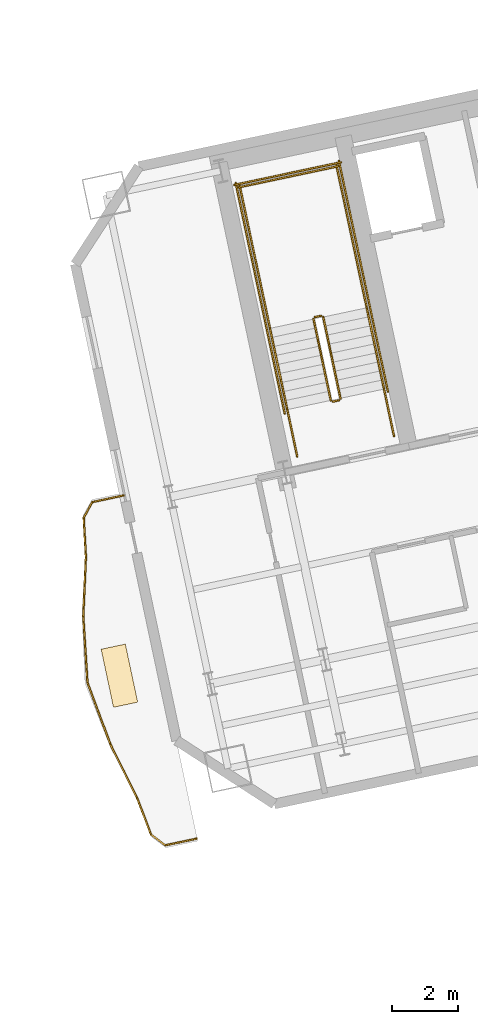
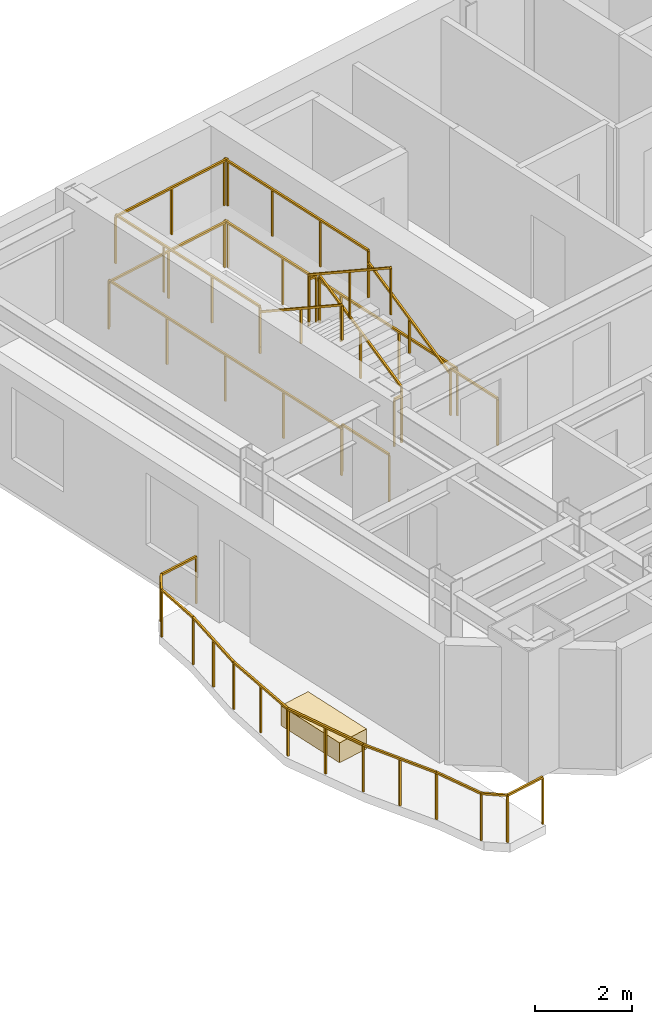
# One storey, part 12 of 13: 24 railings, 1 covering.
"""IFC4 building model written with IfcOpenShell, lengths in metres."""

import ifcopenshell
import ifcopenshell.guid

model = None  # the IFC model being written
_history = None  # IfcOwnerHistory: only IFC2X3 demands one
_inside = {}  # id of a spatial element -> (the spatial element, [elements in it])
_under = {}  # id of a project, library or spatial element -> (it, [spatial elements below it])
_declared = {}  # id of a project -> (the project, [libraries it declares])
_typed = {}  # id of a type object -> (the type object, [elements of that type])
_made_of = {}  # id of a material, layer set ... -> (it, [elements and type objects made of it])


def new_model(schema):
    """Start an empty IFC model of exactly this schema.

    Asked for "IFC4X3", IfcOpenShell would pick the latest addendum, in which some entities
    have other attributes; the version numbers below select the first issue.
    IFC2X3 requires an IfcOwnerHistory on every rooted entity: one is made here for all.
    """
    global model, _history
    if schema == "IFC4X3":
        model = ifcopenshell.file(schema_version=(4, 3, 0, 0))
    else:
        model = ifcopenshell.file(schema=schema)
    _inside.clear()
    _under.clear()
    _declared.clear()
    _typed.clear()
    _made_of.clear()
    _history = None
    if model.schema == "IFC2X3":
        org = make("IfcOrganization", Name="unknown")
        user = make(
            "IfcPersonAndOrganization",
            ThePerson=make("IfcPerson", FamilyName="unknown"),
            TheOrganization=org,
        )
        app = make(
            "IfcApplication",
            ApplicationDeveloper=org,
            Version="unknown",
            ApplicationFullName="unknown",
            ApplicationIdentifier="unknown",
        )
        _history = make(
            "IfcOwnerHistory",
            OwningUser=user,
            OwningApplication=app,
            ChangeAction="ADDED",
            CreationDate=0,
        )
    return model


def make(cls, **values):
    """One entity of the class cls with the attributes given. An attribute that is None is left unset."""
    return model.create_entity(
        cls, **{name: value for name, value in values.items() if value is not None}
    )


def rooted(cls, **values):
    """An entity with a GlobalId (a new one), such as an element, a storey or a relation."""
    return make(cls, GlobalId=ifcopenshell.guid.new(), OwnerHistory=_history, **values)


def si_unit(unit_type, name, prefix=None):
    """IfcSIUnit, for example si_unit("LENGTHUNIT", "METRE", prefix="MILLI")."""
    return make("IfcSIUnit", UnitType=unit_type, Prefix=prefix, Name=name)


def assignment(units):
    """IfcUnitAssignment: the units of a project."""
    return None if units is None else make("IfcUnitAssignment", Units=units)


def point(xyz):
    """IfcCartesianPoint."""
    return None if xyz is None else make("IfcCartesianPoint", Coordinates=xyz)


def direction(xyz):
    """IfcDirection."""
    return None if xyz is None else make("IfcDirection", DirectionRatios=xyz)


def frame(location, z_axis=None, x_axis=None):
    """IfcAxis2Placement3D, a coordinate frame: its origin and axes. An axis left out is left unset."""
    return make(
        "IfcAxis2Placement3D",
        Location=point(location),
        Axis=direction(z_axis),
        RefDirection=direction(x_axis),
    )


def frame_2d(location, x_axis=None):
    """IfcAxis2Placement2D, a coordinate frame in the plane: its origin and x axis."""
    return make(
        "IfcAxis2Placement2D", Location=point(location), RefDirection=direction(x_axis)
    )


def origin():
    """The frame at (0, 0, 0) with its axes left unset."""
    return frame((0.0, 0.0, 0.0))


def origin_2d():
    """The frame at (0, 0) in the plane with its x axis left unset."""
    return frame_2d((0.0, 0.0))


def place(relative_to, where):
    """IfcLocalPlacement: puts the frame where relative to a parent placement (None: the world)."""
    return make(
        "IfcLocalPlacement", PlacementRelTo=relative_to, RelativePlacement=where
    )


def context(
    kind, dimensions, precision=None, world=None, true_north=None, identifier=None
):
    """IfcGeometricRepresentationContext, for example the 3D "Model" context."""
    return make(
        "IfcGeometricRepresentationContext",
        ContextIdentifier=identifier,
        ContextType=kind,
        CoordinateSpaceDimension=dimensions,
        Precision=precision,
        WorldCoordinateSystem=world,
        TrueNorth=true_north,
    )


def subcontext(parent, identifier, kind, view, scale=None):
    """IfcGeometricRepresentationSubContext, for example "Body" below "Model"."""
    return make(
        "IfcGeometricRepresentationSubContext",
        ContextIdentifier=identifier,
        ContextType=kind,
        ParentContext=parent,
        TargetScale=scale,
        TargetView=view,
    )


def project(units=None, contexts=None):
    """IfcProject with its units and contexts."""
    return rooted(
        "IfcProject",
        Name="project",
        RepresentationContexts=contexts,
        UnitsInContext=assignment(units),
    )


def spatial(cls, under=None, at=None, **own):
    """A site, building, storey or space (cls), placed at a placement, below another one or the project."""
    s = rooted(cls, ObjectPlacement=at, **own)
    if under is not None:
        _under.setdefault(under.id(), (under, []))[1].append(s)
    return s


def profile(cls, at=None, kind="AREA", **sizes):
    """A parametric profile (cls). Its sizes go by their IFC names, for example OverallWidth=200.0."""
    return make(cls, ProfileType=kind, Position=at, **sizes)


def rectangle(**sizes):
    """IfcRectangleProfileDef."""
    return profile("IfcRectangleProfileDef", **sizes)


def extrude(swept, where, along, depth):
    """IfcExtrudedAreaSolid: the profile swept, set in the frame where, extruded along a direction by depth."""
    return make(
        "IfcExtrudedAreaSolid",
        SweptArea=swept,
        Position=where,
        ExtrudedDirection=direction(along),
        Depth=depth,
    )


def shape(context_of_items, identifier, shape_type, items):
    """IfcShapeRepresentation: the items that make up one representation, for example the "Body"."""
    return make(
        "IfcShapeRepresentation",
        ContextOfItems=context_of_items,
        RepresentationIdentifier=identifier,
        RepresentationType=shape_type,
        Items=items,
    )


def material(Name=None, Category=None):
    """IfcMaterial."""
    return make("IfcMaterial", Name=Name, Category=Category)


def layer(
    of_material, thickness, ventilated=None, Name=None, Category=None, Priority=None
):
    """IfcMaterialLayer: one layer of a wall or slab, of a material (None: an air gap)."""
    return make(
        "IfcMaterialLayer",
        Material=of_material,
        LayerThickness=thickness,
        IsVentilated=ventilated,
        Name=Name,
        Category=Category,
        Priority=Priority,
    )


def layer_set(layers, Name=None):
    """IfcMaterialLayerSet."""
    return make("IfcMaterialLayerSet", MaterialLayers=layers, LayerSetName=Name)


def made_of(thing, what):
    """Note that an element or type object is made of a material, layer set ...; save() writes the relation."""
    if what is not None:
        _made_of.setdefault(what.id(), (what, []))[1].append(thing)
    return thing


def type_object(cls, material=None, **own):
    """A type object (cls), such as IfcWallType, which elements share."""
    return made_of(rooted(cls, **own), material)


def element(
    cls,
    number,
    at=None,
    inside=None,
    cuts=None,
    type_object=None,
    material=None,
    context=None,
    identifier="Body",
    shape_type=None,
    held_by="IfcProductDefinitionShape",
    body=None,
    shapes=None,
    **own,
):
    """One element of the class cls, such as IfcWall. Its Tag is "e" and its number.

    at: its placement. inside: the storey or other place that contains it. cuts: it is an
    opening in that element (IfcRelVoidsElement). A single representation is given by context,
    identifier, shape_type and body (its items); several are given by shapes. held_by: the class
    of the entity that holds the representations. save() writes the other relations.
    """
    e = rooted(cls, Tag="e%d" % number, ObjectPlacement=at, **own)
    if body is not None:
        shapes = [shape(context, identifier, shape_type, body)]
    if shapes is not None:
        e.Representation = make(held_by, Representations=shapes)
    if inside is not None:
        _inside.setdefault(inside.id(), (inside, []))[1].append(e)
    if cuts is not None:
        rooted(
            "IfcRelVoidsElement", RelatingBuildingElement=cuts, RelatedOpeningElement=e
        )
    if type_object is not None:
        _typed.setdefault(type_object.id(), (type_object, []))[1].append(e)
    return made_of(e, material)


def aggregate(whole, parts):
    """IfcRelAggregates: a whole, such as a stair, and the parts it consists of."""
    return rooted("IfcRelAggregates", RelatingObject=whole, RelatedObjects=parts)


def save(model, path):
    """Write the relations noted so far, then the file.

    IfcRelAggregates (storeys below a building ...), IfcRelContainedInSpatialStructure (elements
    in a storey), IfcRelDefinesByType, IfcRelAssociatesMaterial and IfcRelDeclares: one each for
    every whole, place, type object, material and project.
    """
    for whole, parts in _under.values():
        aggregate(whole, parts)
    for where, things in _inside.values():
        rooted(
            "IfcRelContainedInSpatialStructure",
            RelatedElements=things,
            RelatingStructure=where,
        )
    for kind, things in _typed.values():
        rooted("IfcRelDefinesByType", RelatedObjects=things, RelatingType=kind)
    for what, things in _made_of.values():
        rooted("IfcRelAssociatesMaterial", RelatedObjects=things, RelatingMaterial=what)
    for by, libraries in _declared.values():
        rooted("IfcRelDeclares", RelatingContext=by, RelatedDefinitions=libraries)
    model.write(path)


model = new_model("IFC4")

# Units and contexts
model_context = context("Model", 3, precision=1e-05, world=origin(), true_north=direction((0.0, 1.0)))
body_context = subcontext(model_context, "Body", "Model", "MODEL_VIEW")
ifc_project = project(units=[si_unit("LENGTHUNIT", "METRE"), si_unit("AREAUNIT", "SQUARE_METRE"), si_unit("VOLUMEUNIT", "CUBIC_METRE"), si_unit("PLANEANGLEUNIT", "RADIAN"), si_unit("MASSUNIT", "GRAM", prefix="KILO")], contexts=[model_context])

# Site, building, storey
site_placement = place(None, origin())
site = spatial("IfcSite", under=ifc_project, at=site_placement, CompositionType="ELEMENT")
building_placement = place(site_placement, origin())
building = spatial("IfcBuilding", under=site, at=building_placement, Name="Haevon Station Towers", CompositionType="ELEMENT")
storey_placement = place(building_placement, frame((0.0, 0.0, 189.0)))
storey = spatial("IfcBuildingStorey", under=building, at=storey_placement, Name="L52", CompositionType="ELEMENT", Elevation=189.0)

# Railings
ifc_material_1 = material(Name="Steel S355", Category="steel")
railing_type_1 = type_object("IfcRailingType", Name="GRD-EXT1200", PredefinedType="GUARDRAIL", material=ifc_material_1)
railing_1_placement = place(storey_placement, frame((93.866455078125, 36.74853515625, 0.0)))
element("IfcRailing", 1, at=railing_1_placement, inside=storey, type_object=railing_type_1, Name="L52 Perimeter Guardrail 1", PredefinedType="GUARDRAIL", context=body_context, shape_type="SweptSolid", body=[
    extrude(rectangle(XDim=0.048095703125, YDim=0.048095703125, at=origin_2d()), frame((0.0, 0.0, 1.17578125), z_axis=(-0.97771801885, -0.209922546707, 0.0), x_axis=(0.209922546707, -0.97771801885, 0.0)), (0.0, 0.0, 1.0), 0.974609375),
    extrude(rectangle(XDim=0.0419921875, YDim=0.0419921875, at=origin_2d()), origin(), (0.0, 0.0, 1.0), 1.15185546875),
    extrude(rectangle(XDim=0.0419921875, YDim=0.0419921875, at=origin_2d()), frame((-0.952880859375, -0.20458984375, 0.0)), (0.0, 0.0, 1.0), 1.15185546875),
])
railing_2_placement = place(storey_placement, frame((92.91357421875, 36.5439453125, 0.0)))
element("IfcRailing", 2, at=railing_2_placement, inside=storey, type_object=railing_type_1, Name="L52 Perimeter Guardrail 2", PredefinedType="GUARDRAIL", context=body_context, shape_type="SweptSolid", body=[
    extrude(rectangle(XDim=0.048095703125, YDim=0.048095703125, at=origin_2d()), frame((0.0, 0.0, 1.17578125), z_axis=(-0.480553613798, -0.876965349524, 0.0), x_axis=(0.876965349524, -0.480553613798, 0.0)), (0.0, 0.0, 1.0), 0.54248046875),
    extrude(rectangle(XDim=0.0419921875, YDim=0.0419921875, at=origin_2d()), origin(), (0.0, 0.0, 1.0), 1.15185546875),
    extrude(rectangle(XDim=0.0419921875, YDim=0.0419921875, at=origin_2d()), frame((-0.2607421875, -0.475830078125, 0.0)), (0.0, 0.0, 1.0), 1.15185546875),
])
railing_3_placement = place(storey_placement, frame((92.65283203125, 36.068115234375, 0.0)))
element("IfcRailing", 3, at=railing_3_placement, inside=storey, type_object=railing_type_1, Name="L52 Perimeter Guardrail 3", PredefinedType="GUARDRAIL", context=body_context, shape_type="SweptSolid", body=[
    extrude(rectangle(XDim=0.048095703125, YDim=0.048095703125, at=origin_2d()), frame((0.0, 0.0, 1.17578125), z_axis=(0.056486171086, -0.998403381643, 0.0), x_axis=(0.998403381643, 0.056486171086, 0.0)), (0.0, 0.0, 1.0), 1.184326171875),
    extrude(rectangle(XDim=0.0419921875, YDim=0.0419921875, at=origin_2d()), origin(), (0.0, 0.0, 1.0), 1.15185546875),
    extrude(rectangle(XDim=0.0419921875, YDim=0.0419921875, at=origin_2d()), frame((0.06689453125, -1.182373046875, 0.0)), (0.0, 0.0, 1.0), 1.15185546875),
])
railing_4_placement = place(storey_placement, frame((92.7197265625, 34.8857421875, 0.0)))
element("IfcRailing", 4, at=railing_4_placement, inside=storey, type_object=railing_type_1, Name="L52 Perimeter Guardrail 4", PredefinedType="GUARDRAIL", context=body_context, shape_type="SweptSolid", body=[
    extrude(rectangle(XDim=0.048095703125, YDim=0.048095703125, at=origin_2d()), frame((0.0, 0.0, 1.17578125), z_axis=(-0.04449359433, -0.999009669655, 0.0), x_axis=(0.999009669655, -0.04449359433, 0.0)), (0.0, 0.0, 1.0), 1.80517578125),
    extrude(rectangle(XDim=0.0419921875, YDim=0.0419921875, at=origin_2d()), origin(), (0.0, 0.0, 1.0), 1.15185546875),
    extrude(rectangle(XDim=0.0419921875, YDim=0.0419921875, at=origin_2d()), frame((-0.0400390625, -0.90185546875, 0.0)), (0.0, 0.0, 1.0), 1.15185546875),
    extrude(rectangle(XDim=0.0419921875, YDim=0.0419921875, at=origin_2d()), frame((-0.080322265625, -1.803466796875, 0.0)), (0.0, 0.0, 1.0), 1.15185546875),
])
railing_5_placement = place(storey_placement, frame((92.639404296875, 33.082275390625, 0.0)))
element("IfcRailing", 5, at=railing_5_placement, inside=storey, type_object=railing_type_1, Name="L52 Perimeter Guardrail 5", PredefinedType="GUARDRAIL", context=body_context, shape_type="SweptSolid", body=[
    extrude(rectangle(XDim=0.048095703125, YDim=0.048095703125, at=origin_2d()), frame((0.0, 0.0, 1.17578125), z_axis=(0.063322282015, -0.997993130538, 0.0), x_axis=(0.997993130538, 0.063322282015, 0.0)), (0.0, 0.0, 1.0), 2.0126953125),
    extrude(rectangle(XDim=0.0419921875, YDim=0.0419921875, at=origin_2d()), origin(), (0.0, 0.0, 1.0), 1.15185546875),
    extrude(rectangle(XDim=0.0419921875, YDim=0.0419921875, at=origin_2d()), frame((0.063720703125, -1.00439453125, 0.0)), (0.0, 0.0, 1.0), 1.15185546875),
    extrude(rectangle(XDim=0.0419921875, YDim=0.0419921875, at=origin_2d()), frame((0.12744140625, -2.008544921875, 0.0)), (0.0, 0.0, 1.0), 1.15185546875),
])
railing_6_placement = place(storey_placement, frame((92.766845703125, 31.07373046875, 0.0)))
element("IfcRailing", 6, at=railing_6_placement, inside=storey, type_object=railing_type_1, Name="L52 Perimeter Guardrail 6", PredefinedType="GUARDRAIL", context=body_context, shape_type="SweptSolid", body=[
    extrude(rectangle(XDim=0.048095703125, YDim=0.048095703125, at=origin_2d()), frame((0.0, 0.0, 1.17578125), z_axis=(0.34818348359, -0.937426403381, 0.0), x_axis=(0.937426403381, 0.34818348359, 0.0)), (0.0, 0.0, 1.0), 2.012451171875),
    extrude(rectangle(XDim=0.0419921875, YDim=0.0419921875, at=origin_2d()), origin(), (0.0, 0.0, 1.0), 1.15185546875),
    extrude(rectangle(XDim=0.0419921875, YDim=0.0419921875, at=origin_2d()), frame((0.350341796875, -0.943359375, 0.0)), (0.0, 0.0, 1.0), 1.15185546875),
    extrude(rectangle(XDim=0.0419921875, YDim=0.0419921875, at=origin_2d()), frame((0.70068359375, -1.886474609375, 0.0)), (0.0, 0.0, 1.0), 1.15185546875),
])
railing_7_placement = place(storey_placement, frame((93.467529296875, 29.187255859375, 0.0)))
element("IfcRailing", 7, at=railing_7_placement, inside=storey, type_object=railing_type_1, Name="L52 Perimeter Guardrail 7", PredefinedType="GUARDRAIL", context=body_context, shape_type="SweptSolid", body=[
    extrude(rectangle(XDim=0.048095703125, YDim=0.048095703125, at=origin_2d()), frame((0.0, 0.0, 1.17578125), z_axis=(0.446780825657, -0.89464344508, 0.0), x_axis=(0.89464344508, 0.446780825657, 0.0)), (0.0, 0.0, 1.0), 1.805419921875),
    extrude(rectangle(XDim=0.0419921875, YDim=0.0419921875, at=origin_2d()), origin(), (0.0, 0.0, 1.0), 1.15185546875),
    extrude(rectangle(XDim=0.0419921875, YDim=0.0419921875, at=origin_2d()), frame((0.4033203125, -0.8076171875, 0.0)), (0.0, 0.0, 1.0), 1.15185546875),
    extrude(rectangle(XDim=0.0419921875, YDim=0.0419921875, at=origin_2d()), frame((0.806640625, -1.615234375, 0.0)), (0.0, 0.0, 1.0), 1.15185546875),
])
railing_8_placement = place(storey_placement, frame((94.274169921875, 27.572021484375, 0.0)))
element("IfcRailing", 8, at=railing_8_placement, inside=storey, type_object=railing_type_1, Name="L52 Perimeter Guardrail 8", PredefinedType="GUARDRAIL", context=body_context, shape_type="SweptSolid", body=[
    extrude(rectangle(XDim=0.048095703125, YDim=0.048095703125, at=origin_2d()), frame((0.0, 0.0, 1.17578125), z_axis=(0.354623157462, -0.935009313425, 0.0), x_axis=(0.935009313425, 0.354623157462, 0.0)), (0.0, 0.0, 1.0), 1.18408203125),
    extrude(rectangle(XDim=0.0419921875, YDim=0.0419921875, at=origin_2d()), origin(), (0.0, 0.0, 1.0), 1.15185546875),
    extrude(rectangle(XDim=0.0419921875, YDim=0.0419921875, at=origin_2d()), frame((0.419921875, -1.107177734375, 0.0)), (0.0, 0.0, 1.0), 1.15185546875),
])
railing_9_placement = place(storey_placement, frame((94.694091796875, 26.46484375, 0.0)))
element("IfcRailing", 9, at=railing_9_placement, inside=storey, type_object=railing_type_1, Name="L52 Perimeter Guardrail 9", PredefinedType="GUARDRAIL", context=body_context, shape_type="SweptSolid", body=[
    extrude(rectangle(XDim=0.048095703125, YDim=0.048095703125, at=origin_2d()), frame((0.0, 0.0, 1.17578125), z_axis=(0.795823981278, -0.605528026456, 0.0), x_axis=(0.605528026456, 0.795823981278, 0.0)), (0.0, 0.0, 1.0), 0.542724609375),
    extrude(rectangle(XDim=0.0419921875, YDim=0.0419921875, at=origin_2d()), origin(), (0.0, 0.0, 1.0), 1.15185546875),
    extrude(rectangle(XDim=0.0419921875, YDim=0.0419921875, at=origin_2d()), frame((0.431884765625, -0.32861328125, 0.0)), (0.0, 0.0, 1.0), 1.15185546875),
])
railing_10_placement = place(storey_placement, frame((95.1259765625, 26.13623046875, 0.0)))
element("IfcRailing", 10, at=railing_10_placement, inside=storey, type_object=railing_type_1, Name="L52 Perimeter Guardrail 10", PredefinedType="GUARDRAIL", context=body_context, shape_type="SweptSolid", body=[
    extrude(rectangle(XDim=0.048095703125, YDim=0.048095703125, at=origin_2d()), frame((0.0, 0.0, 1.17578125), z_axis=(0.978555102227, 0.205985222543, 0.0), x_axis=(-0.205985222543, 0.978555102227, 0.0)), (0.0, 0.0, 1.0), 0.974365234375),
    extrude(rectangle(XDim=0.0419921875, YDim=0.0419921875, at=origin_2d()), origin(), (0.0, 0.0, 1.0), 1.15185546875),
    extrude(rectangle(XDim=0.0419921875, YDim=0.0419921875, at=origin_2d()), frame((0.953369140625, 0.20068359375, 0.0)), (0.0, 0.0, 1.0), 1.15185546875),
])
railing_type_2 = type_object("IfcRailingType", Name="GRD-STR1200", PredefinedType="GUARDRAIL", material=ifc_material_1)
railing_11_placement = place(storey_placement, frame((100.44140625, 39.69287109375, 0.1650390625)))
element("IfcRailing", 11, at=railing_11_placement, inside=storey, type_object=railing_type_2, Name="L52 ST3 Stair Guard 1", PredefinedType="GUARDRAIL", context=body_context, shape_type="SweptSolid", body=[
    extrude(rectangle(XDim=0.048095703125, YDim=0.048095703125, at=origin_2d()), frame((0.0, 0.0, 1.17578125), z_axis=(-0.179128856099, 0.842723639875, 0.507670877349), x_axis=(-0.978147030254, -0.207914374695, 0.0)), (0.0, 0.0, 1.0), 2.9248046875),
    extrude(rectangle(XDim=0.0419921875, YDim=0.0419921875, at=origin_2d()), origin(), (0.0, 0.0, 1.0), 1.15185546875),
    extrude(rectangle(XDim=0.0419921875, YDim=0.0419921875, at=origin_2d()), frame((-0.261962890625, 1.232421875, 0.742431640625)), (0.0, 0.0, 1.0), 1.15185546875),
    extrude(rectangle(XDim=0.0419921875, YDim=0.0419921875, at=origin_2d()), frame((-0.52392578125, 2.46484375, 1.48486328125)), (0.0, 0.0, 1.0), 1.15185546875),
])
railing_12_placement = place(storey_placement, frame((99.858154296875, 42.1962890625, 1.64990234375)))
element("IfcRailing", 12, at=railing_12_placement, inside=storey, type_object=railing_type_2, Name="L52 ST3 Stair Guard 2", PredefinedType="GUARDRAIL", context=body_context, shape_type="SweptSolid", body=[
    extrude(rectangle(XDim=0.048095703125, YDim=0.048095703125, at=origin_2d()), frame((0.0, 0.0, 1.17578125), z_axis=(-0.977962931203, -0.208778603291, 0.0), x_axis=(0.208778603291, -0.977962931203, 0.0)), (0.0, 0.0, 1.0), 0.199951171875),
    extrude(rectangle(XDim=0.0419921875, YDim=0.0419921875, at=origin_2d()), origin(), (0.0, 0.0, 1.0), 1.15185546875),
    extrude(rectangle(XDim=0.0419921875, YDim=0.0419921875, at=origin_2d()), frame((-0.195556640625, -0.041748046875, 0.0)), (0.0, 0.0, 1.0), 1.15185546875),
])
railing_13_placement = place(storey_placement, frame((101.238037109375, 42.4384765625, 1.64990234375)))
element("IfcRailing", 13, at=railing_13_placement, inside=storey, type_object=railing_type_2, Name="L52 ST3 Stair Guard 3", PredefinedType="GUARDRAIL", context=body_context, shape_type="SweptSolid", body=[
    extrude(rectangle(XDim=0.048095703125, YDim=0.048095703125, at=origin_2d()), frame((0.0, 0.0, 1.17578125), z_axis=(-0.20794048909, 0.978141479029, 0.0), x_axis=(-0.978141479029, -0.20794048909, 0.0)), (0.0, 0.0, 1.0), 4.429931640625),
    extrude(rectangle(XDim=0.0419921875, YDim=0.0419921875, at=origin_2d()), origin(), (0.0, 0.0, 1.0), 1.15185546875),
    extrude(rectangle(XDim=0.0419921875, YDim=0.0419921875, at=origin_2d()), frame((-0.30712890625, 1.4443359375, 0.0)), (0.0, 0.0, 1.0), 1.15185546875),
    extrude(rectangle(XDim=0.0419921875, YDim=0.0419921875, at=origin_2d()), frame((-0.614013671875, 2.888671875, 0.0)), (0.0, 0.0, 1.0), 1.15185546875),
    extrude(rectangle(XDim=0.0419921875, YDim=0.0419921875, at=origin_2d()), frame((-0.921142578125, 4.3330078125, 0.0)), (0.0, 0.0, 1.0), 1.15185546875),
])
railing_14_placement = place(storey_placement, frame((98.303466796875, 41.814697265625, 1.64990234375)))
element("IfcRailing", 14, at=railing_14_placement, inside=storey, type_object=railing_type_2, Name="L52 ST3 Stair Guard 4", PredefinedType="GUARDRAIL", context=body_context, shape_type="SweptSolid", body=[
    extrude(rectangle(XDim=0.048095703125, YDim=0.048095703125, at=origin_2d()), frame((0.0, 0.0, 1.17578125), z_axis=(-0.207876551949, 0.978155069071, 0.0), x_axis=(-0.978155069071, -0.207876551949, 0.0)), (0.0, 0.0, 1.0), 4.429931640625),
    extrude(rectangle(XDim=0.0419921875, YDim=0.0419921875, at=origin_2d()), origin(), (0.0, 0.0, 1.0), 1.15185546875),
    extrude(rectangle(XDim=0.0419921875, YDim=0.0419921875, at=origin_2d()), frame((-0.306884765625, 1.4443359375, 0.0)), (0.0, 0.0, 1.0), 1.15185546875),
    extrude(rectangle(XDim=0.0419921875, YDim=0.0419921875, at=origin_2d()), frame((-0.614013671875, 2.888916015625, 0.0)), (0.0, 0.0, 1.0), 1.15185546875),
    extrude(rectangle(XDim=0.0419921875, YDim=0.0419921875, at=origin_2d()), frame((-0.9208984375, 4.333251953125, 0.0)), (0.0, 0.0, 1.0), 1.15185546875),
])
railing_15_placement = place(storey_placement, frame((100.376220703125, 46.733154296875, 1.64990234375)))
element("IfcRailing", 15, at=railing_15_placement, inside=storey, type_object=railing_type_2, Name="L52 ST3 Stair Guard 5", PredefinedType="GUARDRAIL", context=body_context, shape_type="SweptSolid", body=[
    extrude(rectangle(XDim=0.048095703125, YDim=0.048095703125, at=origin_2d()), frame((0.0, 0.0, 1.17578125), z_axis=(-0.978146839882, -0.207915270313, 0.0), x_axis=(0.207915270313, -0.978146839882, 0.0)), (0.0, 0.0, 1.0), 3.099853515625),
    extrude(rectangle(XDim=0.0419921875, YDim=0.0419921875, at=origin_2d()), origin(), (0.0, 0.0, 1.0), 1.15185546875),
    extrude(rectangle(XDim=0.0419921875, YDim=0.0419921875, at=origin_2d()), frame((-1.51611328125, -0.322265625, 0.0)), (0.0, 0.0, 1.0), 1.15185546875),
    extrude(rectangle(XDim=0.0419921875, YDim=0.0419921875, at=origin_2d()), frame((-3.0322265625, -0.64453125, 0.0)), (0.0, 0.0, 1.0), 1.15185546875),
])
railing_16_placement = place(storey_placement, frame((99.6240234375, 42.09521484375, 1.81494140625)))
element("IfcRailing", 16, at=railing_16_placement, inside=storey, type_object=railing_type_2, Name="L52 ST3 Stair Guard 6", PredefinedType="GUARDRAIL", context=body_context, shape_type="SweptSolid", body=[
    extrude(rectangle(XDim=0.048095703125, YDim=0.048095703125, at=origin_2d()), frame((0.0, 0.0, 1.17578125), z_axis=(0.179121265225, -0.842687928106, 0.507732831485), x_axis=(0.978147030254, 0.207914374695, 0.0)), (0.0, 0.0, 1.0), 2.925048828125),
    extrude(rectangle(XDim=0.0419921875, YDim=0.0419921875, at=origin_2d()), origin(), (0.0, 0.0, 1.0), 1.15185546875),
    extrude(rectangle(XDim=0.0419921875, YDim=0.0419921875, at=origin_2d()), frame((0.261962890625, -1.232421875, 0.74267578125)), (0.0, 0.0, 1.0), 1.15185546875),
    extrude(rectangle(XDim=0.0419921875, YDim=0.0419921875, at=origin_2d()), frame((0.52392578125, -2.46484375, 1.485107421875)), (0.0, 0.0, 1.0), 1.15185546875),
])
railing_17_placement = place(storey_placement, frame((100.40283203125, 39.633544921875, 0.0)))
element("IfcRailing", 17, at=railing_17_placement, inside=storey, type_object=railing_type_2, Name="L52 ST3 Stair Guard 7", PredefinedType="GUARDRAIL", context=body_context, shape_type="SweptSolid", body=[
    extrude(rectangle(XDim=0.048095703125, YDim=0.048095703125, at=origin_2d()), frame((0.0, 0.0, 1.17578125), z_axis=(-0.977962931203, -0.208778603291, 0.0), x_axis=(0.208778603291, -0.977962931203, 0.0)), (0.0, 0.0, 1.0), 0.199951171875),
    extrude(rectangle(XDim=0.0419921875, YDim=0.0419921875, at=origin_2d()), origin(), (0.0, 0.0, 1.0), 1.15185546875),
    extrude(rectangle(XDim=0.0419921875, YDim=0.0419921875, at=origin_2d()), frame((-0.195556640625, -0.041748046875, 0.0)), (0.0, 0.0, 1.0), 1.15185546875),
])
for number, where, name in (
    (18, (102.0634765625, 38.55517578125, 0.0), "L52 ST3 Stair Guard 8"),
    (19, (99.12890625, 37.931396484375, 0.0), "L52 ST3 Stair Guard 9"),
):
    element("IfcRailing", number, at=place(storey_placement, frame(where)), inside=storey, type_object=railing_type_2, Name=name, PredefinedType="GUARDRAIL", context=body_context, shape_type="SweptSolid", body=[
        extrude(rectangle(XDim=0.048095703125, YDim=0.048095703125, at=origin_2d()), frame((0.0, 0.0, 1.17578125), z_axis=(-0.207953405961, 0.978138732977, 0.0), x_axis=(-0.978138732977, -0.207953405961, 0.0)), (0.0, 0.0, 1.0), 1.449951171875),
        extrude(rectangle(XDim=0.0419921875, YDim=0.0419921875, at=origin_2d()), origin(), (0.0, 0.0, 1.0), 1.15185546875),
        extrude(rectangle(XDim=0.0419921875, YDim=0.0419921875, at=origin_2d()), frame((-0.301513671875, 1.418212890625, 0.0)), (0.0, 0.0, 1.0), 1.15185546875),
    ])
railing_18_placement = place(storey_placement, frame((101.88037109375, 39.896484375, 0.0)))
element("IfcRailing", 20, at=railing_18_placement, inside=storey, type_object=railing_type_2, Name="L52 ST3 Stair Guard 10", PredefinedType="GUARDRAIL", context=body_context, shape_type="SweptSolid", body=[
    extrude(rectangle(XDim=0.048095703125, YDim=0.048095703125, at=origin_2d()), frame((0.0, 0.0, 1.17578125), z_axis=(-0.207882442208, 0.978153817261, 0.0), x_axis=(-0.978153817261, -0.207882442208, 0.0)), (0.0, 0.0, 1.0), 7.14990234375),
    extrude(rectangle(XDim=0.0419921875, YDim=0.0419921875, at=origin_2d()), origin(), (0.0, 0.0, 1.0), 1.15185546875),
    extrude(rectangle(XDim=0.0419921875, YDim=0.0419921875, at=origin_2d()), frame((-0.37158203125, 1.74853515625, 0.0)), (0.0, 0.0, 1.0), 1.15185546875),
    extrude(rectangle(XDim=0.0419921875, YDim=0.0419921875, at=origin_2d()), frame((-0.7431640625, 3.496826171875, 0.0)), (0.0, 0.0, 1.0), 1.15185546875),
    extrude(rectangle(XDim=0.0419921875, YDim=0.0419921875, at=origin_2d()), frame((-1.11474609375, 5.2451171875, 0.0)), (0.0, 0.0, 1.0), 1.15185546875),
    extrude(rectangle(XDim=0.0419921875, YDim=0.0419921875, at=origin_2d()), frame((-1.486328125, 6.99365234375, 0.0)), (0.0, 0.0, 1.0), 1.15185546875),
])
railing_19_placement = place(storey_placement, frame((98.75048828125, 39.231201171875, 0.0)))
element("IfcRailing", 21, at=railing_19_placement, inside=storey, type_object=railing_type_2, Name="L52 ST3 Stair Guard 11", PredefinedType="GUARDRAIL", context=body_context, shape_type="SweptSolid", body=[
    extrude(rectangle(XDim=0.048095703125, YDim=0.048095703125, at=origin_2d()), frame((0.0, 0.0, 1.17578125), z_axis=(-0.207915112487, 0.978146873429, 0.0), x_axis=(-0.978146873429, -0.207915112487, 0.0)), (0.0, 0.0, 1.0), 7.14990234375),
    extrude(rectangle(XDim=0.0419921875, YDim=0.0419921875, at=origin_2d()), origin(), (0.0, 0.0, 1.0), 1.15185546875),
    extrude(rectangle(XDim=0.0419921875, YDim=0.0419921875, at=origin_2d()), frame((-0.37158203125, 1.74853515625, 0.0)), (0.0, 0.0, 1.0), 1.15185546875),
    extrude(rectangle(XDim=0.0419921875, YDim=0.0419921875, at=origin_2d()), frame((-0.7431640625, 3.496826171875, 0.0)), (0.0, 0.0, 1.0), 1.15185546875),
    extrude(rectangle(XDim=0.0419921875, YDim=0.0419921875, at=origin_2d()), frame((-1.114990234375, 5.2451171875, 0.0)), (0.0, 0.0, 1.0), 1.15185546875),
    extrude(rectangle(XDim=0.0419921875, YDim=0.0419921875, at=origin_2d()), frame((-1.486572265625, 6.99365234375, 0.0)), (0.0, 0.0, 1.0), 1.15185546875),
])
railing_20_placement = place(storey_placement, frame((100.453125, 46.8515625, 0.0)))
element("IfcRailing", 22, at=railing_20_placement, inside=storey, type_object=railing_type_2, Name="L52 ST3 Stair Guard 12", PredefinedType="GUARDRAIL", context=body_context, shape_type="SweptSolid", body=[
    extrude(rectangle(XDim=0.048095703125, YDim=0.048095703125, at=origin_2d()), frame((0.0, 0.0, 1.17578125), z_axis=(-0.978150764849, -0.207896804268, 0.0), x_axis=(0.207896804268, -0.978150764849, 0.0)), (0.0, 0.0, 1.0), 3.2998046875),
    extrude(rectangle(XDim=0.0419921875, YDim=0.0419921875, at=origin_2d()), origin(), (0.0, 0.0, 1.0), 1.15185546875),
    extrude(rectangle(XDim=0.0419921875, YDim=0.0419921875, at=origin_2d()), frame((-1.61376953125, -0.343017578125, 0.0)), (0.0, 0.0, 1.0), 1.15185546875),
    extrude(rectangle(XDim=0.0419921875, YDim=0.0419921875, at=origin_2d()), frame((-3.227783203125, -0.68603515625, 0.0)), (0.0, 0.0, 1.0), 1.15185546875),
])
railing_type_3 = type_object("IfcRailingType", Name="HND-STR900", PredefinedType="HANDRAIL", material=ifc_material_1)
railing_21_placement = place(storey_placement, frame((101.761962890625, 39.973388671875, 0.1650390625)))
element("IfcRailing", 23, at=railing_21_placement, inside=storey, type_object=railing_type_3, Name="L52 ST3 Stair Handrail 1", PredefinedType="HANDRAIL", context=body_context, shape_type="SweptSolid", body=[
    extrude(rectangle(XDim=0.048095703125, YDim=0.048095703125, at=origin_2d()), frame((0.0, 0.0, 0.8759765625), z_axis=(-0.179116256339, 0.842747828638, 0.507635168246), x_axis=(-0.978151217824, -0.207894673017, 0.0)), (0.0, 0.0, 1.0), 2.925048828125),
    extrude(rectangle(XDim=0.0419921875, YDim=0.0419921875, at=origin_2d()), origin(), (0.0, 0.0, 1.0), 0.851806640625),
    extrude(rectangle(XDim=0.0419921875, YDim=0.0419921875, at=origin_2d()), frame((-0.261962890625, 1.232421875, 0.742431640625)), (0.0, 0.0, 1.0), 0.851806640625),
    extrude(rectangle(XDim=0.0419921875, YDim=0.0419921875, at=origin_2d()), frame((-0.52392578125, 2.465087890625, 1.48486328125)), (0.0, 0.0, 1.0), 0.851806640625),
])
railing_22_placement = place(storey_placement, frame((98.303466796875, 41.814697265625, 1.81494140625)))
element("IfcRailing", 24, at=railing_22_placement, inside=storey, type_object=railing_type_3, Name="L52 ST3 Stair Handrail 2", PredefinedType="HANDRAIL", context=body_context, shape_type="SweptSolid", body=[
    extrude(rectangle(XDim=0.048095703125, YDim=0.048095703125, at=origin_2d()), frame((0.0, 0.0, 0.8759765625), z_axis=(0.179108667068, -0.842712120868, 0.50769712105), x_axis=(0.978151217824, 0.207894673017, 0.0)), (0.0, 0.0, 1.0), 2.92529296875),
    extrude(rectangle(XDim=0.0419921875, YDim=0.0419921875, at=origin_2d()), origin(), (0.0, 0.0, 1.0), 0.851806640625),
    extrude(rectangle(XDim=0.0419921875, YDim=0.0419921875, at=origin_2d()), frame((0.261962890625, -1.232421875, 0.74267578125)), (0.0, 0.0, 1.0), 0.851806640625),
    extrude(rectangle(XDim=0.0419921875, YDim=0.0419921875, at=origin_2d()), frame((0.52392578125, -2.465087890625, 1.485107421875)), (0.0, 0.0, 1.0), 0.851806640625),
])

# Covering
ifc_material_2 = material(Name="Architectural planter GRC", Category="concrete")
ifc_layer = layer(ifc_material_2, 0.550048828125)
ifc_layer_set = layer_set([ifc_layer], Name="Architectural planter GRC")
covering_type = type_object("IfcCoveringType", Name="PLN-GRC550", PredefinedType="MOLDING", material=ifc_layer_set)
covering_placement = place(storey_placement, frame((93.736572265625, 31.27978515625, 0.0), z_axis=(0.0, 0.0, 1.0), x_axis=(0.978147600734, 0.207911690818, 0.0)))
element("IfcCovering", 25, at=covering_placement, inside=storey, type_object=covering_type, Name="Tower 2 L52 Scalloped Balcony PLANTER", PredefinedType="MOLDING", context=body_context, shape_type="SweptSolid", body=[
    extrude(rectangle(XDim=0.75, YDim=1.800048828125, at=origin_2d()), origin(), (0.0, 0.0, 1.0), 0.5),
])

save(model, "model.ifc")
